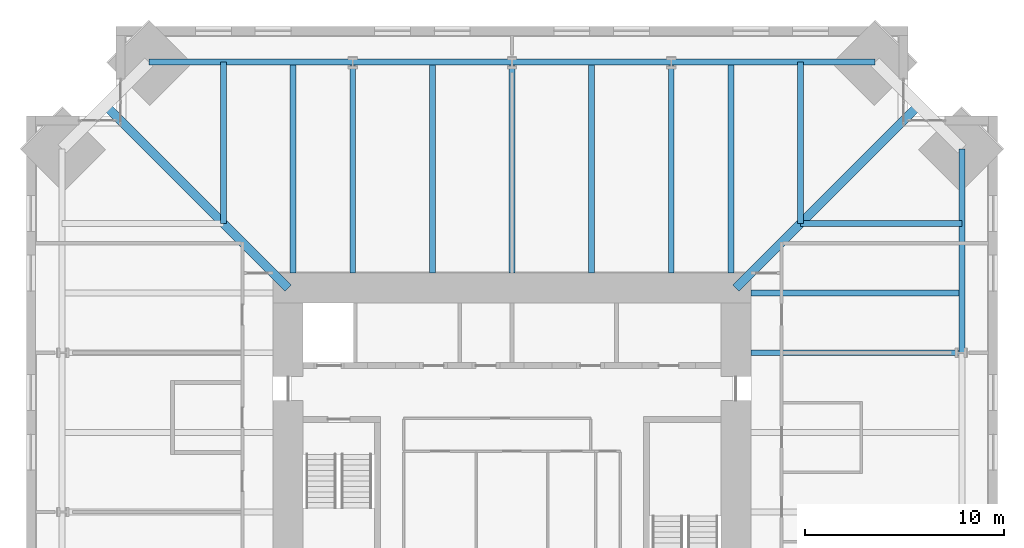
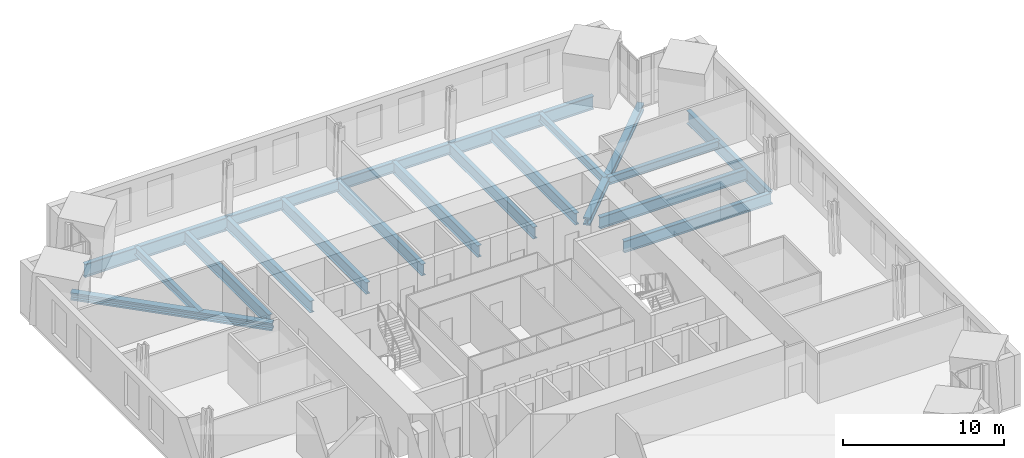
# One storey, part 7 of 15: 19 beams.
"""IFC4 building model written with IfcOpenShell, lengths in metres."""

from ifc_helpers import new_model, si_unit, direction, frame, origin, origin_2d, place, context, subcontext, project, spatial, i_section, extrude, material, material_profile, profile_set, type_object, element, save


model = new_model("IFC4")

# Units and contexts
model_context = context("Model", 3, precision=1e-05, world=origin(), true_north=direction((0.0, 1.0)))
body_context = subcontext(model_context, "Body", "Model", "MODEL_VIEW")
ifc_project = project(units=[si_unit("LENGTHUNIT", "METRE"), si_unit("AREAUNIT", "SQUARE_METRE"), si_unit("VOLUMEUNIT", "CUBIC_METRE"), si_unit("PLANEANGLEUNIT", "RADIAN"), si_unit("MASSUNIT", "GRAM", prefix="KILO")], contexts=[model_context])

# Site, building, storey
site_placement = place(None, origin())
site = spatial("IfcSite", under=ifc_project, at=site_placement, CompositionType="ELEMENT")
building_placement = place(site_placement, origin())
building = spatial("IfcBuilding", under=site, at=building_placement, Name="Peilmerk Tower", CompositionType="ELEMENT")
storey_placement = place(building_placement, frame((0.0, 0.0, 205.800048828125)))
storey = spatial("IfcBuildingStorey", under=building, at=storey_placement, Name="L44", CompositionType="ELEMENT", Elevation=205.800048828125)

# Beams
ifc_material_1 = material(Name="Steel S355", Category="steel")
ifc_material_profile_1 = material_profile(ifc_material_1, i_section(OverallWidth=0.302001953125, OverallDepth=1.008056640625, WebThickness=0.02099609375, FlangeThickness=0.0400390625, at=origin_2d()), Name="HEM 1000")
ifc_profile_set_1 = profile_set([ifc_material_profile_1], Name="Steel S355")
beam_type_1 = type_object("IfcBeamType", Name="B1 HEM 1000 edge beam", PredefinedType="SPANDREL", material=ifc_profile_set_1)
for number, where, z_axis, x_axis, name in (
    (1, (18.248291015625, 22.598388671875, -0.674072265625), (-1.0, 0.0, 0.0), (0.0, -1.0, 0.0), "Edge beam L44"),
    (2, (-8.0, 22.598388671875, -0.674072265625), (-1.0, 0.0, 0.0), (0.0, -1.0, 0.0), "Edge beam L44"),
    (3, (22.598388671875, 8.0, -0.674072265625), (0.0, 1.0, 0.0), (-1.0, 0.0, 0.0), "Edge beam L44"),
):
    element("IfcBeam", number, at=place(storey_placement, frame(where, z_axis=z_axis, x_axis=x_axis)), inside=storey, type_object=beam_type_1, Name=name, PredefinedType="SPANDREL", context=body_context, shape_type="SweptSolid", body=[
        extrude(i_section(OverallWidth=0.302001953125, OverallDepth=1.008056640625, WebThickness=0.02099609375, FlangeThickness=0.0400390625, at=origin_2d()), origin(), (0.0, 0.0, 1.0), 10.248291015625),
    ])
ifc_material_profile_2 = material_profile(ifc_material_1, i_section(OverallWidth=0.302978515625, OverallDepth=0.81396484375, WebThickness=0.02099609375, FlangeThickness=0.0400390625, at=origin_2d()), Name="HEM 800")
ifc_profile_set_2 = profile_set([ifc_material_profile_2], Name="Steel S355")
beam_type_2 = type_object("IfcBeamType", Name="B15 HEM 800 edge beam", PredefinedType="SPANDREL", material=ifc_profile_set_2)
for number, where, z_axis, x_axis, name in (
    (4, (8.0, 22.598388671875, -0.5771484375), (-1.0, 0.0, 0.0), (0.0, -1.0, 0.0), "Edge beam L44"),
    (5, (0.0, 22.598388671875, -0.5771484375), (-1.0, 0.0, 0.0), (0.0, -1.0, 0.0), "Edge beam L44"),
):
    element("IfcBeam", number, at=place(storey_placement, frame(where, z_axis=z_axis, x_axis=x_axis)), inside=storey, type_object=beam_type_2, Name=name, PredefinedType="SPANDREL", context=body_context, shape_type="SweptSolid", body=[
        extrude(i_section(OverallWidth=0.302978515625, OverallDepth=0.81396484375, WebThickness=0.02099609375, FlangeThickness=0.0400390625, at=origin_2d()), origin(), (0.0, 0.0, 1.0), 8.0),
    ])
ifc_material_profile_3 = material_profile(ifc_material_1, i_section(OverallWidth=0.300048828125, OverallDepth=0.590087890625, WebThickness=0.012939453125, FlangeThickness=0.02490234375, at=origin_2d()), Name="HEA 600")
ifc_profile_set_3 = profile_set([ifc_material_profile_3], Name="Steel S355")
beam_type_3 = type_object("IfcBeamType", Name="B27 HEA 600 floor beam", PredefinedType="BEAM", material=ifc_profile_set_3)
for number, where, z_axis, x_axis, name in (
    (6, (14.5, 14.5, -0.465087890625), (0.0, 1.0, 0.0), (-1.0, 0.0, 0.0), "Floor beam L44"),
    (7, (14.5, 14.5, -0.465087890625), (1.0, 0.0, 0.0), (0.0, 1.0, 0.0), "Floor beam L44"),
    (8, (-14.5, 14.5, -0.465087890625), (0.0, 1.0, 0.0), (-1.0, 0.0, 0.0), "Floor beam L44"),
):
    element("IfcBeam", number, at=place(storey_placement, frame(where, z_axis=z_axis, x_axis=x_axis)), inside=storey, type_object=beam_type_3, Name=name, PredefinedType="BEAM", context=body_context, shape_type="SweptSolid", body=[
        extrude(i_section(OverallWidth=0.300048828125, OverallDepth=0.590087890625, WebThickness=0.012939453125, FlangeThickness=0.02490234375, at=origin_2d()), origin(), (0.0, 0.0, 1.0), 8.098388671875),
    ])
ifc_material_profile_4 = material_profile(ifc_material_1, i_section(OverallWidth=0.300048828125, OverallDepth=0.889892578125, WebThickness=0.01611328125, FlangeThickness=0.030029296875, at=origin_2d()), Name="HEA 900")
ifc_profile_set_4 = profile_set([ifc_material_profile_4], Name="Steel S355")
beam_type_4 = type_object("IfcBeamType", Name="B4 HEA 900 floor beam", PredefinedType="BEAM", material=ifc_profile_set_4)
for number, where, z_axis, x_axis, name in (
    (9, (11.0, 12.0, -0.614990234375), (0.0, 1.0, 0.0), (-1.0, 0.0, 0.0), "Floor beam L44"),
    (10, (8.0, 12.0, -0.614990234375), (0.0, 1.0, 0.0), (-1.0, 0.0, 0.0), "Floor beam L44"),
    (11, (4.0, 12.0, -0.614990234375), (0.0, 1.0, 0.0), (-1.0, 0.0, 0.0), "Floor beam L44"),
    (12, (0.0, 12.0, -0.614990234375), (0.0, 1.0, 0.0), (-1.0, 0.0, 0.0), "Floor beam L44"),
    (13, (-4.0, 12.0, -0.614990234375), (0.0, 1.0, 0.0), (-1.0, 0.0, 0.0), "Floor beam L44"),
    (14, (-8.0, 12.0, -0.614990234375), (0.0, 1.0, 0.0), (-1.0, 0.0, 0.0), "Floor beam L44"),
    (15, (-11.0, 12.0, -0.614990234375), (0.0, 1.0, 0.0), (-1.0, 0.0, 0.0), "Floor beam L44"),
    (16, (12.0, 8.0, -0.614990234375), (1.0, 0.0, 0.0), (0.0, 1.0, 0.0), "Floor beam L44"),
    (17, (12.0, 11.0, -0.614990234375), (1.0, 0.0, 0.0), (0.0, 1.0, 0.0), "Floor beam L44"),
):
    element("IfcBeam", number, at=place(storey_placement, frame(where, z_axis=z_axis, x_axis=x_axis)), inside=storey, type_object=beam_type_4, Name=name, PredefinedType="BEAM", context=body_context, shape_type="SweptSolid", body=[
        extrude(i_section(OverallWidth=0.300048828125, OverallDepth=0.889892578125, WebThickness=0.01611328125, FlangeThickness=0.030029296875, at=origin_2d()), origin(), (0.0, 0.0, 1.0), 10.598388671875),
    ])
ifc_material_2 = material(Name="Steel S460", Category="steel")
ifc_material_profile_5 = material_profile(ifc_material_2, i_section(OverallWidth=0.4541015625, OverallDepth=0.569091796875, WebThickness=0.077880859375, FlangeThickness=0.125, at=origin_2d()), Name="HD 400x1086")
ifc_profile_set_5 = profile_set([ifc_material_profile_5], Name="Steel S460")
beam_type_5 = type_object("IfcBeamType", Name="B9 HD 400x1086 corner girder", PredefinedType="BEAM", material=ifc_profile_set_5)
for number, where, z_axis, x_axis, name in (
    (18, (11.25, 11.25, -0.45458984375), (0.707106781187, 0.707106781187, 0.0), (-0.707106781187, 0.707106781187, 0.0), "Corner girder L44"),
    (19, (-11.25, 11.25, -0.45458984375), (-0.707106781187, 0.707106781187, 0.0), (-0.707106781187, -0.707106781187, 0.0), "Corner girder L44"),
):
    element("IfcBeam", number, at=place(storey_placement, frame(where, z_axis=z_axis, x_axis=x_axis)), inside=storey, type_object=beam_type_5, Name=name, PredefinedType="BEAM", context=body_context, shape_type="SweptSolid", body=[
        extrude(i_section(OverallWidth=0.4541015625, OverallDepth=0.569091796875, WebThickness=0.077880859375, FlangeThickness=0.125, at=origin_2d()), origin(), (0.0, 0.0, 1.0), 12.97314453125),
    ])

save(model, "model.ifc")
